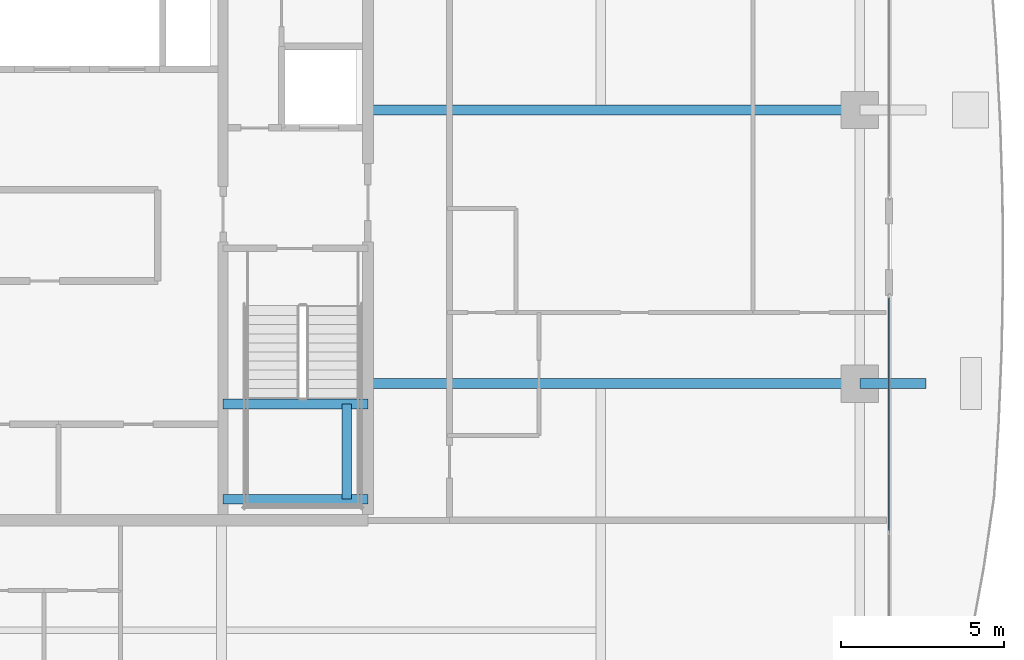
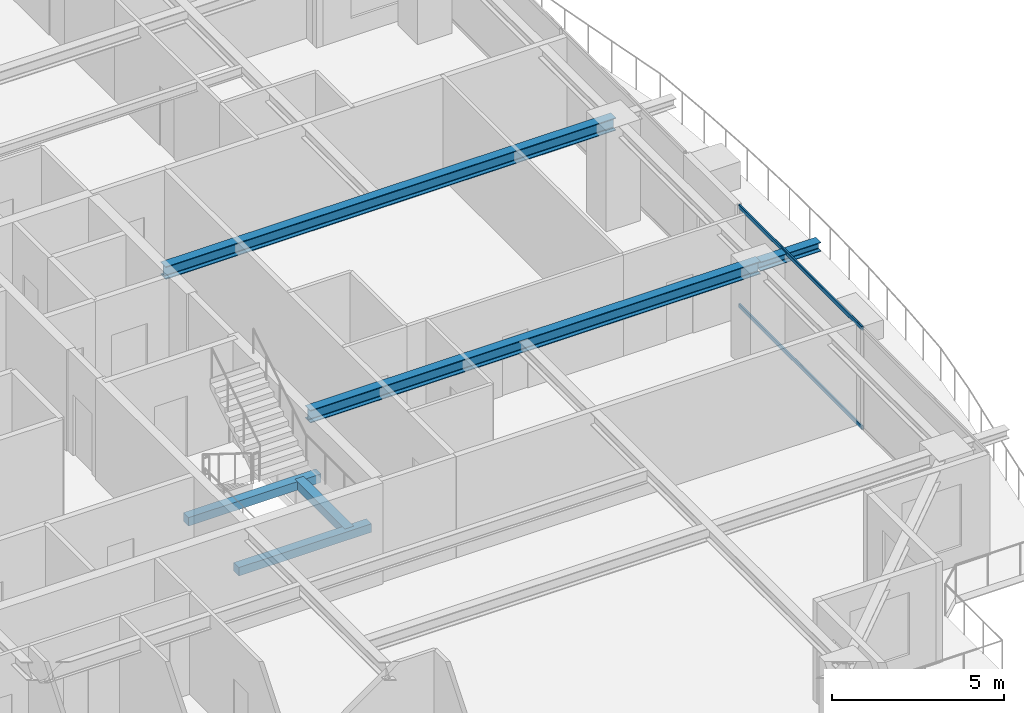
# One storey, part 14 of 37: 6 beams, 2 members, 1 element without a shape of its own.
"""IFC4 building model written with IfcOpenShell, lengths in metres."""

from ifc_helpers import new_model, si_unit, direction, frame, origin, origin_2d, place, context, subcontext, project, spatial, rectangle, hollow_rectangle, i_section, extrude, source, transform, mapped, material, layer, layer_set, material_profile, profile_set, type_object, element, aggregate, save


model = new_model("IFC4")

# Units and contexts
model_context = context("Model", 3, precision=1e-05, world=origin(), true_north=direction((0.0, 1.0)))
body_context = subcontext(model_context, "Body", "Model", "MODEL_VIEW")
ifc_project = project(units=[si_unit("LENGTHUNIT", "METRE"), si_unit("AREAUNIT", "SQUARE_METRE"), si_unit("VOLUMEUNIT", "CUBIC_METRE"), si_unit("PLANEANGLEUNIT", "RADIAN"), si_unit("MASSUNIT", "GRAM", prefix="KILO")], contexts=[model_context])

# Site, building, storey
site_placement = place(None, origin())
site = spatial("IfcSite", under=ifc_project, at=site_placement, CompositionType="ELEMENT")
building_placement = place(site_placement, origin())
building = spatial("IfcBuilding", under=site, at=building_placement, Name="Serunith Strait Residences", CompositionType="ELEMENT")
storey_placement = place(building_placement, frame((0.0, 0.0, 248.949951171875)))
storey = spatial("IfcBuildingStorey", under=building, at=storey_placement, Name="L62", CompositionType="ELEMENT", Elevation=248.949951171875)

# Beams
ifc_material_1 = material(Name="Steel S355J2", Category="steel")
ifc_material_profile_1 = material_profile(ifc_material_1, i_section(OverallWidth=0.300048828125, OverallDepth=0.449951171875, WebThickness=0.013916015625, FlangeThickness=0.02587890625, FilletRadius=0.027099609375, at=origin_2d()), Name="HEB 450")
ifc_profile_set_1 = profile_set([ifc_material_profile_1], Name="Steel S355J2")
beam_type_1 = type_object("IfcBeamType", Name="BM-HEB450", PredefinedType="BEAM", material=ifc_profile_set_1)
shared_shape_1 = source(origin(), body_context, "Body", "SweptSolid", [
    extrude(i_section(OverallWidth=0.300048828125, OverallDepth=0.449951171875, WebThickness=0.013916015625, FlangeThickness=0.02587890625, FilletRadius=0.027099609375, at=origin_2d()), origin(), (0.0, 0.0, 1.0), 15.10009765625),
])
for number, where, z_axis, x_axis, name in (
    (1, (41.39990234375, 21.0, 3.362060546875), (1.0, 0.0, 0.0), (0.0, 1.0, 0.0), "L62 Primary Floor Girder TC-E2"),
    (2, (41.39990234375, 29.39990234375, 3.362060546875), (1.0, 0.0, 0.0), (0.0, 1.0, 0.0), "L62 Primary Floor Girder TC-E3"),
):
    element("IfcBeam", number, at=place(storey_placement, frame(where, z_axis=z_axis, x_axis=x_axis)), inside=storey, type_object=beam_type_1, Name=name, PredefinedType="BEAM", context=body_context, shape_type="MappedRepresentation", body=[
        mapped(shared_shape_1, transform((0.0, 0.0, 0.0), scale=1.0)),
    ])
ifc_material_profile_2 = material_profile(ifc_material_1, i_section(OverallWidth=0.300048828125, OverallDepth=0.320068359375, WebThickness=0.011474609375, FlangeThickness=0.0205078125, FilletRadius=0.027099609375, at=origin_2d()), Name="HEB 320")
ifc_profile_set_2 = profile_set([ifc_material_profile_2], Name="Steel S355J2")
beam_type_2 = type_object("IfcBeamType", Name="BM-HEB320", PredefinedType="BEAM", material=ifc_profile_set_2)
shared_shape_2 = source(origin(), body_context, "Body", "SweptSolid", [
    extrude(i_section(OverallWidth=0.300048828125, OverallDepth=0.320068359375, WebThickness=0.011474609375, FlangeThickness=0.0205078125, FilletRadius=0.027099609375, at=origin_2d()), origin(), (0.0, 0.0, 1.0), 2.030029296875),
])
beam_1_placement = place(storey_placement, frame((56.5, 21.0, 3.39697265625), z_axis=(1.0, 0.0, 0.0), x_axis=(0.0, 1.0, 0.0)))
element("IfcBeam", 3, at=beam_1_placement, inside=storey, type_object=beam_type_2, Name="L63 Cantilevered Balcony Rib TC-E2", PredefinedType="BEAM", context=body_context, shape_type="MappedRepresentation", body=[
    mapped(shared_shape_2, transform((0.0, 0.0, 0.0), scale=1.0)),
])
ifc_material_2 = material(Name="Concrete C60/75", Category="concrete")
ifc_material_profile_3 = material_profile(ifc_material_2, rectangle(XDim=0.300048828125, YDim=0.300048828125, at=origin_2d()), Name="RC 300x300")
ifc_profile_set_3 = profile_set([ifc_material_profile_3], Name="Concrete C60/75")
beam_type_3 = type_object("IfcBeamType", Name="BM-LAND-300x300", PredefinedType="BEAM", material=ifc_profile_set_3)
shared_shape_3 = source(origin(), body_context, "Body", "SweptSolid", [
    extrude(rectangle(XDim=0.300048828125, YDim=0.300048828125, at=origin_2d()), origin(), (0.0, 0.0, 1.0), 4.449951171875),
])
for number, where, z_axis, x_axis, name in (
    (4, (36.949951171875, 17.449951171875, 1.574951171875), (1.0, 0.0, 0.0), (0.0, 1.0, 0.0), "L62 ST-2 Landing Support Beam 1"),
    (5, (36.949951171875, 20.3701171875, 1.574951171875), (1.0, 0.0, 0.0), (0.0, 1.0, 0.0), "L62 ST-2 Landing Support Beam 2"),
):
    element("IfcBeam", number, at=place(storey_placement, frame(where, z_axis=z_axis, x_axis=x_axis)), inside=storey, type_object=beam_type_3, Name=name, PredefinedType="BEAM", context=body_context, shape_type="MappedRepresentation", body=[
        mapped(shared_shape_3, transform((0.0, 0.0, 0.0), scale=1.0)),
    ])
shared_shape_4 = source(origin(), body_context, "Body", "SweptSolid", [
    extrude(rectangle(XDim=0.300048828125, YDim=0.300048828125, at=origin_2d()), origin(), (0.0, 0.0, 1.0), 2.920166015625),
])
beam_2_placement = place(storey_placement, frame((40.75, 17.449951171875, 1.574951171875), z_axis=(0.0, 1.0, 0.0), x_axis=(-1.0, 0.0, 0.0)))
element("IfcBeam", 6, at=beam_2_placement, inside=storey, type_object=beam_type_3, Name="L62 ST-2 Landing Transverse Tie Beam", PredefinedType="BEAM", context=body_context, shape_type="MappedRepresentation", body=[
    mapped(shared_shape_4, transform((0.0, 0.0, 0.0), scale=1.0)),
])

# Curtain wall, members
ifc_material_3 = material(Name="Pale-Champagne Anodised Aluminium", Category="aluminium")
ifc_layer = layer(ifc_material_3, 0.199951171875, Name="Pale-Champagne Anodised Aluminium")
ifc_layer_set = layer_set([ifc_layer], Name="Pale-Champagne Anodised Aluminium")
curtain_wall_type = type_object("IfcCurtainWallType", Name="CW-SYS4", PredefinedType="NOTDEFINED", material=ifc_layer_set)
curtain_wall_placement = place(storey_placement, origin())
curtain_wall = element("IfcCurtainWall", 7, at=curtain_wall_placement, inside=storey, type_object=curtain_wall_type, Name="L62 E Unitised Fritted Curtain Wall", PredefinedType="NOTDEFINED")
ifc_material_profile_4 = material_profile(ifc_material_3, hollow_rectangle(XDim=0.06005859375, YDim=0.139892578125, WallThickness=0.00341796875, InnerFilletRadius=0.00537109375, OuterFilletRadius=0.0087890625, at=origin_2d()), Name="ALU 140x60x3.5")
ifc_profile_set_4 = profile_set([ifc_material_profile_4], Name="Pale-Champagne Anodised Aluminium")
member_type = type_object("IfcMemberType", Name="CW-SYS4-TRAN", PredefinedType="USERDEFINED", material=ifc_profile_set_4)
shared_shape_5 = source(origin(), body_context, "Body", "SweptSolid", [
    extrude(hollow_rectangle(XDim=0.06005859375, YDim=0.139892578125, WallThickness=0.00341796875, InnerFilletRadius=0.00537109375, OuterFilletRadius=0.0087890625, at=origin_2d()), origin(), (0.0, 0.0, 1.0), 7.152587890625),
])
member_1_placement = place(storey_placement, frame((57.39990234375, 16.482421875, 0.030029296875), z_axis=(0.0, 1.0, 0.0), x_axis=(-1.0, 0.0, 0.0)))
member_1 = element("IfcMember", 8, at=member_1_placement, type_object=member_type, Name="CW-4 transom 2.1", ObjectType="TRANSOM", PredefinedType="USERDEFINED", context=body_context, shape_type="MappedRepresentation", body=[
    mapped(shared_shape_5, transform((0.0, 0.0, 0.0), scale=1.0)),
])
member_2_placement = place(storey_placement, frame((57.39990234375, 16.482421875, 3.545166015625), z_axis=(0.0, 1.0, 0.0), x_axis=(-1.0, 0.0, 0.0)))
member_2 = element("IfcMember", 9, at=member_2_placement, type_object=member_type, Name="CW-4 transom 2.2", ObjectType="TRANSOM", PredefinedType="USERDEFINED", context=body_context, shape_type="MappedRepresentation", body=[
    mapped(shared_shape_5, transform((0.0, 0.0, 0.0), scale=1.0)),
])
aggregate(curtain_wall, [member_1, member_2])

save(model, "model.ifc")
